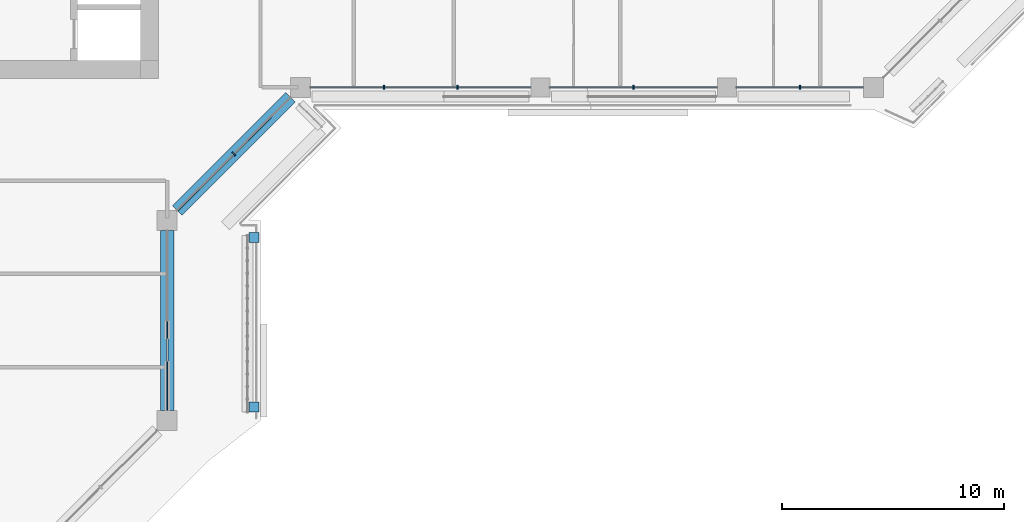
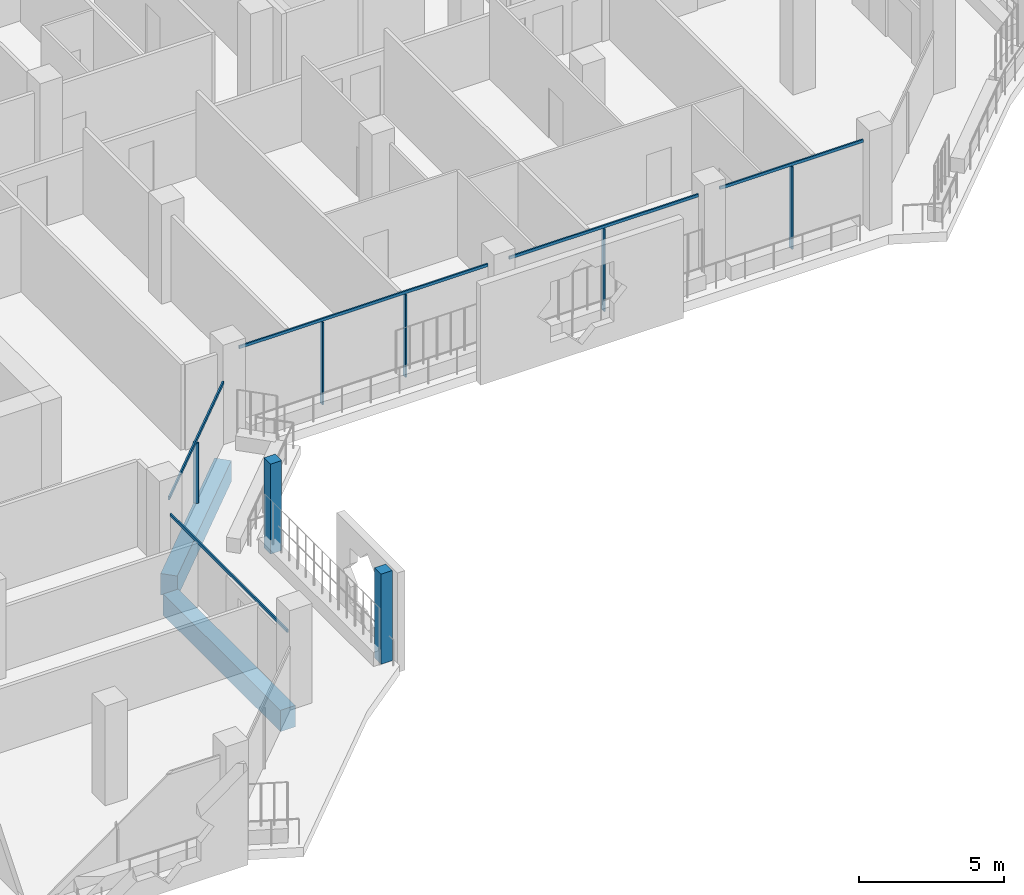
# One storey, part 4 of 20: 12 members, 2 beams, 4 elements without a shape of their own.
"""IFC4 building model written with IfcOpenShell, lengths in metres."""

from ifc_helpers import new_model, si_unit, direction, frame, origin, origin_2d, place, context, subcontext, project, spatial, rectangle, extrude, material, layer, layer_set, material_profile, profile_set, type_object, element, aggregate, save


model = new_model("IFC4")

# Units and contexts
model_context = context("Model", 3, precision=1e-05, world=origin(), true_north=direction((0.0, 1.0)))
body_context = subcontext(model_context, "Body", "Model", "MODEL_VIEW")
ifc_project = project(units=[si_unit("LENGTHUNIT", "METRE"), si_unit("AREAUNIT", "SQUARE_METRE"), si_unit("VOLUMEUNIT", "CUBIC_METRE"), si_unit("PLANEANGLEUNIT", "RADIAN"), si_unit("MASSUNIT", "GRAM", prefix="KILO")], contexts=[model_context])

# Site, building, storey
site_placement = place(None, origin())
site = spatial("IfcSite", under=ifc_project, at=site_placement, CompositionType="ELEMENT")
building_placement = place(site_placement, origin())
building = spatial("IfcBuilding", under=site, at=building_placement, Name="Kawkab Arch Medical Tower", CompositionType="ELEMENT")
storey_placement = place(building_placement, frame((0.0, 0.0, 239.0)))
storey = spatial("IfcBuildingStorey", under=building, at=storey_placement, Name="L55", CompositionType="ELEMENT", Elevation=239.0)

# Curtain wall, members
ifc_material_1 = material(Name="Bronze anodised aluminium curtain wall frame", Category="aluminium")
ifc_layer_1 = layer(ifc_material_1, 0.159912109375)
ifc_layer_set_1 = layer_set([ifc_layer_1], Name="Bronze anodised aluminium curtain wall frame")
curtain_wall_type_1 = type_object("IfcCurtainWallType", Name="CW1 ward curtain wall", PredefinedType="NOTDEFINED", material=ifc_layer_set_1)
placement = place(storey_placement, origin())
curtain_wall_1 = element("IfcCurtainWall", 1, at=placement, inside=storey, type_object=curtain_wall_type_1, Name="CW1 Ward curtain wall R07", PredefinedType="NOTDEFINED")
ifc_material_2 = material(Name="Bronze anodised aluminium curtain wall frame", Category="aluminium")
ifc_material_profile_1 = material_profile(ifc_material_2, rectangle(XDim=0.179931640625, YDim=0.06005859375, at=origin_2d()), Name="AL 60x180")
ifc_profile_set_1 = profile_set([ifc_material_profile_1], Name="Bronze anodised aluminium curtain wall frame")
member_type_1 = type_object("IfcMemberType", Name="CW1 mullion 60 x 180", PredefinedType="MULLION", material=ifc_profile_set_1)
member_1_placement = place(storey_placement, frame((34.958251953125, -25.199951171875, 0.0), z_axis=(0.0, 0.0, 1.0), x_axis=(0.0, 1.0, 0.0)))
member_1 = element("IfcMember", 2, at=member_1_placement, type_object=member_type_1, Name="CW1 mullion 1.1", PredefinedType="MULLION", context=body_context, shape_type="SweptSolid", body=[
    extrude(rectangle(XDim=0.179931640625, YDim=0.06005859375, at=origin_2d()), origin(), (0.0, 0.0, 1.0), 3.47998046875),
])
member_2_placement = place(storey_placement, frame((38.2666015625, -25.199951171875, 0.0), z_axis=(0.0, 0.0, 1.0), x_axis=(0.0, 1.0, 0.0)))
member_2 = element("IfcMember", 3, at=member_2_placement, type_object=member_type_1, Name="CW1 mullion 1.2", PredefinedType="MULLION", context=body_context, shape_type="SweptSolid", body=[
    extrude(rectangle(XDim=0.179931640625, YDim=0.06005859375, at=origin_2d()), origin(), (0.0, 0.0, 1.0), 3.47998046875),
])
member_3_placement = place(storey_placement, frame((46.199951171875, -25.199951171875, 0.0), z_axis=(0.0, 0.0, 1.0), x_axis=(0.0, 1.0, 0.0)))
member_3 = element("IfcMember", 4, at=member_3_placement, type_object=member_type_1, Name="CW1 mullion 2.1", PredefinedType="MULLION", context=body_context, shape_type="SweptSolid", body=[
    extrude(rectangle(XDim=0.179931640625, YDim=0.06005859375, at=origin_2d()), origin(), (0.0, 0.0, 1.0), 3.47998046875),
])
member_4_placement = place(storey_placement, frame((53.6875, -25.199951171875, 0.0), z_axis=(0.0, 0.0, 1.0), x_axis=(0.0, 1.0, 0.0)))
member_4 = element("IfcMember", 5, at=member_4_placement, type_object=member_type_1, Name="CW1 mullion 3.1", PredefinedType="MULLION", context=body_context, shape_type="SweptSolid", body=[
    extrude(rectangle(XDim=0.179931640625, YDim=0.06005859375, at=origin_2d()), origin(), (0.0, 0.0, 1.0), 3.47998046875),
])

# Curtain wall, member
curtain_wall_2 = element("IfcCurtainWall", 6, at=placement, inside=storey, type_object=curtain_wall_type_1, Name="CW1 Ward curtain wall R05", PredefinedType="NOTDEFINED")
ifc_material_3 = material(Name="Bronze anodised aluminium curtain wall frame", Category="aluminium")
ifc_material_profile_2 = material_profile(ifc_material_3, rectangle(XDim=0.06005859375, YDim=0.1201171875, at=origin_2d()), Name="AL 60x120")
ifc_profile_set_2 = profile_set([ifc_material_profile_2], Name="Bronze anodised aluminium curtain wall frame")
member_type_2 = type_object("IfcMemberType", Name="CW1 transom 120 x 60", PredefinedType="USERDEFINED", material=ifc_profile_set_2)
member_5_placement = place(storey_placement, frame((25.199951171875, -39.75, 2.639892578125), z_axis=(0.0, 1.0, 0.0), x_axis=(-1.0, 0.0, 0.0)))
member_5 = element("IfcMember", 7, at=member_5_placement, type_object=member_type_2, Name="CW1 transom 1", ObjectType="TRANSOM", PredefinedType="USERDEFINED", context=body_context, shape_type="SweptSolid", body=[
    extrude(rectangle(XDim=0.06005859375, YDim=0.1201171875, at=origin_2d()), origin(), (0.0, 0.0, 1.0), 8.10009765625),
])
aggregate(curtain_wall_2, [member_5])

# Member
member_6_placement = place(storey_placement, frame((31.64990234375, -25.199951171875, 3.5400390625), z_axis=(1.0, 0.0, 0.0), x_axis=(0.0, 1.0, 0.0)))
member_6 = element("IfcMember", 8, at=member_6_placement, type_object=member_type_2, Name="CW1 transom 1", ObjectType="TRANSOM", PredefinedType="USERDEFINED", context=body_context, shape_type="SweptSolid", body=[
    extrude(rectangle(XDim=0.06005859375, YDim=0.1201171875, at=origin_2d()), origin(), (0.0, 0.0, 1.0), 9.925048828125),
])

member_7_placement = place(storey_placement, frame((42.425048828125, -25.199951171875, 3.5400390625), z_axis=(1.0, 0.0, 0.0), x_axis=(0.0, 1.0, 0.0)))
member_7 = element("IfcMember", 9, at=member_7_placement, type_object=member_type_2, Name="CW1 transom 2", ObjectType="TRANSOM", PredefinedType="USERDEFINED", context=body_context, shape_type="SweptSolid", body=[
    extrude(rectangle(XDim=0.06005859375, YDim=0.1201171875, at=origin_2d()), origin(), (0.0, 0.0, 1.0), 7.550048828125),
])

member_8_placement = place(storey_placement, frame((50.824951171875, -25.199951171875, 3.5400390625), z_axis=(1.0, 0.0, 0.0), x_axis=(0.0, 1.0, 0.0)))
member_8 = element("IfcMember", 10, at=member_8_placement, type_object=member_type_2, Name="CW1 transom 3", ObjectType="TRANSOM", PredefinedType="USERDEFINED", context=body_context, shape_type="SweptSolid", body=[
    extrude(rectangle(XDim=0.06005859375, YDim=0.1201171875, at=origin_2d()), origin(), (0.0, 0.0, 1.0), 5.72509765625),
])

aggregate(curtain_wall_1, [member_6, member_1, member_2, member_7, member_3, member_8, member_4])

# Curtain wall, members
ifc_material_4 = material(Name="Bronze anodised aluminium curtain wall frame", Category="aluminium")
ifc_layer_2 = layer(ifc_material_4, 0.159912109375)
ifc_layer_set_2 = layer_set([ifc_layer_2], Name="Bronze anodised aluminium curtain wall frame")
curtain_wall_type_2 = type_object("IfcCurtainWallType", Name="CW2 chamfer curtain wall", PredefinedType="NOTDEFINED", material=ifc_layer_set_2)
curtain_wall_3 = element("IfcCurtainWall", 11, at=placement, inside=storey, type_object=curtain_wall_type_2, Name="CW2 Chamfer curtain wall R06", PredefinedType="NOTDEFINED")
ifc_material_5 = material(Name="Bronze anodised aluminium curtain wall frame", Category="aluminium")
ifc_material_profile_3 = material_profile(ifc_material_5, rectangle(XDim=0.199951171875, YDim=0.06005859375, at=origin_2d()), Name="AL 60x200")
ifc_profile_set_3 = profile_set([ifc_material_profile_3], Name="Bronze anodised aluminium curtain wall frame")
member_type_3 = type_object("IfcMemberType", Name="CW2 mullion 60 x 200", PredefinedType="MULLION", material=ifc_profile_set_3)
member_9_placement = place(storey_placement, frame((28.199951171875, -28.199951171875, 0.0), z_axis=(0.0, 0.0, 1.0), x_axis=(-0.707106781187, 0.707106781187, 0.0)))
member_9 = element("IfcMember", 12, at=member_9_placement, type_object=member_type_3, Name="CW2 mullion 1.1", PredefinedType="MULLION", context=body_context, shape_type="SweptSolid", body=[
    extrude(rectangle(XDim=0.199951171875, YDim=0.06005859375, at=origin_2d()), origin(), (0.0, 0.0, 1.0), 2.56005859375),
])
ifc_material_6 = material(Name="Bronze anodised aluminium curtain wall frame", Category="aluminium")
ifc_material_profile_4 = material_profile(ifc_material_6, rectangle(XDim=0.06005859375, YDim=0.139892578125, at=origin_2d()), Name="AL 60x140")
ifc_profile_set_4 = profile_set([ifc_material_profile_4], Name="Bronze anodised aluminium curtain wall frame")
member_type_4 = type_object("IfcMemberType", Name="CW2 transom 140 x 60", PredefinedType="USERDEFINED", material=ifc_profile_set_4)
member_10_placement = place(storey_placement, frame((25.64990234375, -30.75, 2.6298828125), z_axis=(0.707106781187, 0.707106781187, 0.0), x_axis=(-0.707106781187, 0.707106781187, 0.0)))
member_10 = element("IfcMember", 13, at=member_10_placement, type_object=member_type_4, Name="CW2 transom 1", ObjectType="TRANSOM", PredefinedType="USERDEFINED", context=body_context, shape_type="SweptSolid", body=[
    extrude(rectangle(XDim=0.06005859375, YDim=0.139892578125, at=origin_2d()), origin(), (0.0, 0.0, 1.0), 7.212646484375),
])
aggregate(curtain_wall_3, [member_10, member_9])

ifc_material_7 = material(Name="Bronze anodised aluminium climber frame, planted", Category="aluminium")
ifc_layer_3 = layer(ifc_material_7, 0.449951171875)
ifc_layer_set_3 = layer_set([ifc_layer_3], Name="Bronze anodised aluminium climber frame, planted")
curtain_wall_type_3 = type_object("IfcCurtainWallType", Name="Planted climber frame", PredefinedType="NOTDEFINED", material=ifc_layer_set_3)
curtain_wall_4 = element("IfcCurtainWall", 14, at=placement, inside=storey, type_object=curtain_wall_type_3, Name="Planted climber frame L55", PredefinedType="NOTDEFINED")
ifc_material_8 = material(Name="Bronze anodised aluminium climber frame, planted", Category="aluminium")
ifc_material_profile_5 = material_profile(ifc_material_8, rectangle(XDim=0.449951171875, YDim=0.449951171875, at=origin_2d()), Name="Post 450x450")
ifc_profile_set_5 = profile_set([ifc_material_profile_5], Name="Bronze anodised aluminium climber frame, planted")
member_type_5 = type_object("IfcMemberType", Name="Planted climber post 450 x 450", PredefinedType="MULLION", material=ifc_profile_set_5)
member_11_placement = place(storey_placement, frame((29.10009765625, -31.949951171875, 0.0), z_axis=(0.0, 0.0, 1.0), x_axis=(1.0, 0.0, 0.0)))
member_11 = element("IfcMember", 15, at=member_11_placement, type_object=member_type_5, Name="Planted climber post L55.LOG-01-01.3", PredefinedType="MULLION", context=body_context, shape_type="SweptSolid", body=[
    extrude(rectangle(XDim=0.449951171875, YDim=0.449951171875, at=origin_2d()), origin(), (0.0, 0.0, 1.0), 3.800048828125),
])
member_12_placement = place(storey_placement, frame((29.10009765625, -39.60302734375, 0.0), z_axis=(0.0, 0.0, 1.0), x_axis=(1.0, 0.0, 0.0)))
member_12 = element("IfcMember", 16, at=member_12_placement, type_object=member_type_5, Name="Planted climber post L55.LOG-01-01.4", PredefinedType="MULLION", context=body_context, shape_type="SweptSolid", body=[
    extrude(rectangle(XDim=0.449951171875, YDim=0.449951171875, at=origin_2d()), origin(), (0.0, 0.0, 1.0), 3.800048828125),
])
aggregate(curtain_wall_4, [member_11, member_12])

# Beams
ifc_material_9 = material(Name="Concrete C45/55", Category="concrete")
ifc_material_profile_6 = material_profile(ifc_material_9, rectangle(XDim=0.60009765625, YDim=0.89990234375, at=origin_2d()), Name="RC 600x900")
ifc_profile_set_6 = profile_set([ifc_material_profile_6], Name="Concrete C45/55")
beam_type = type_object("IfcBeamType", Name="RC 600x900 beam C45/55", PredefinedType="BEAM", material=ifc_profile_set_6)
beam_1_placement = place(storey_placement, frame((30.75, -25.64990234375, -1.050048828125), z_axis=(-0.707106781187, -0.707106781187, 0.0), x_axis=(0.707106781187, -0.707106781187, 0.0)))
element("IfcBeam", 17, at=beam_1_placement, inside=storey, type_object=beam_type, Name="Overhang edge beam L55-04", PredefinedType="BEAM", context=body_context, shape_type="SweptSolid", body=[
    extrude(rectangle(XDim=0.60009765625, YDim=0.89990234375, at=origin_2d()), origin(), (0.0, 0.0, 1.0), 7.212646484375),
])
beam_2_placement = place(storey_placement, frame((25.199951171875, -31.64990234375, -1.050048828125), z_axis=(0.0, -1.0, 0.0), x_axis=(1.0, 0.0, 0.0)))
element("IfcBeam", 18, at=beam_2_placement, inside=storey, type_object=beam_type, Name="Overhang edge beam L55-05", PredefinedType="BEAM", context=body_context, shape_type="SweptSolid", body=[
    extrude(rectangle(XDim=0.60009765625, YDim=0.89990234375, at=origin_2d()), origin(), (0.0, 0.0, 1.0), 8.10009765625),
])

save(model, "model.ifc")
